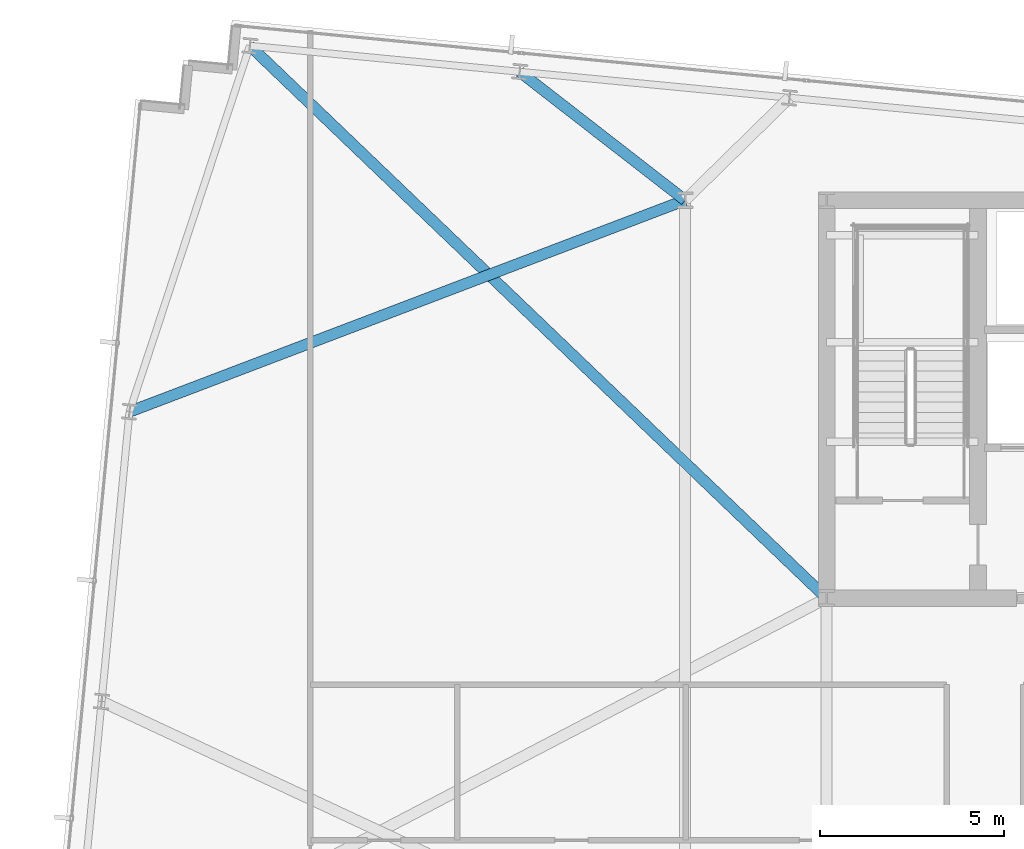
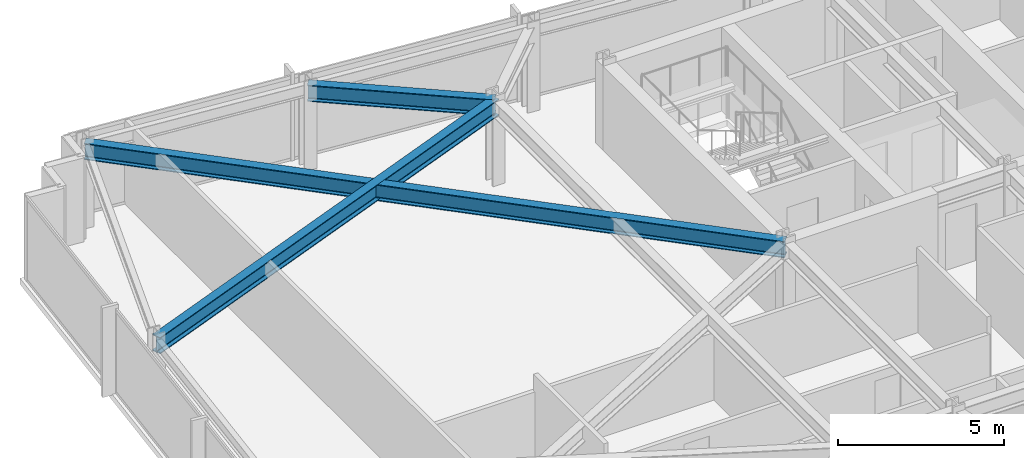
# One storey, part 22 of 38: 3 beams.
"""IFC4 building model written with IfcOpenShell, lengths in metres."""

from ifc_helpers import new_model, si_unit, direction, frame, origin, origin_2d, place, context, subcontext, project, spatial, i_section, extrude, material, material_profile, profile_set, type_object, element, save


model = new_model("IFC4")

# Units and contexts
model_context = context("Model", 3, precision=1e-05, world=origin(), true_north=direction((0.0, 1.0)))
body_context = subcontext(model_context, "Body", "Model", "MODEL_VIEW")
ifc_project = project(units=[si_unit("LENGTHUNIT", "METRE"), si_unit("AREAUNIT", "SQUARE_METRE"), si_unit("VOLUMEUNIT", "CUBIC_METRE"), si_unit("PLANEANGLEUNIT", "RADIAN"), si_unit("MASSUNIT", "GRAM", prefix="KILO")], contexts=[model_context])

# Site, building, storey
site_placement = place(None, origin())
site = spatial("IfcSite", under=ifc_project, at=site_placement, CompositionType="ELEMENT")
building_placement = place(site_placement, origin())
building = spatial("IfcBuilding", under=site, at=building_placement, Name="Yelkora Congress Tower", CompositionType="ELEMENT")
storey_placement = place(building_placement, frame((0.0, 0.0, 172.10009765625)))
storey = spatial("IfcBuildingStorey", under=building, at=storey_placement, Name="L47", CompositionType="ELEMENT", Elevation=172.10009765625)

# Beams
ifc_material = material(Name="Steel S355J2", Category="steel")
ifc_material_profile = material_profile(ifc_material, i_section(OverallWidth=0.300048828125, OverallDepth=0.60009765625, WebThickness=0.015380859375, FlangeThickness=0.030029296875, FilletRadius=0.027099609375, at=origin_2d()), Name="HEB 600")
ifc_profile_set = profile_set([ifc_material_profile], Name="Steel S355J2")
beam_type = type_object("IfcBeamType", Name="BM-GIRD-HEB600", PredefinedType="BEAM", material=ifc_profile_set)
beam_1_placement = place(storey_placement, frame((7.388916015625, 50.390625, 2.77978515625), z_axis=(0.722178809531, -0.691706416816, 0.0), x_axis=(0.691706416816, 0.722178809531, 0.0)))
element("IfcBeam", 1, at=beam_1_placement, inside=storey, type_object=beam_type, Name="L47 Primary Frame Girder N01", PredefinedType="BEAM", context=body_context, shape_type="SweptSolid", body=[
    extrude(i_section(OverallWidth=0.300048828125, OverallDepth=0.60009765625, WebThickness=0.015380859375, FlangeThickness=0.030029296875, FilletRadius=0.027099609375, at=origin_2d()), origin(), (0.0, 0.0, 1.0), 21.672119140625),
])
beam_2_placement = place(storey_placement, frame((14.712158203125, 49.685546875, 2.77978515625), z_axis=(0.789770770989, -0.6134020943, 0.0), x_axis=(0.6134020943, 0.789770770989, 0.0)))
element("IfcBeam", 2, at=beam_2_placement, inside=storey, type_object=beam_type, Name="L47 Primary Frame Girder N02", PredefinedType="BEAM", context=body_context, shape_type="SweptSolid", body=[
    extrude(i_section(OverallWidth=0.300048828125, OverallDepth=0.60009765625, WebThickness=0.015380859375, FlangeThickness=0.030029296875, FilletRadius=0.027099609375, at=origin_2d()), origin(), (0.0, 0.0, 1.0), 5.682373046875),
])
beam_3_placement = place(storey_placement, frame((4.121826171875, 40.4580078125, 2.77978515625), z_axis=(0.934531115392, 0.355881433013, 0.0), x_axis=(-0.355881433013, 0.934531115392, 0.0)))
element("IfcBeam", 3, at=beam_3_placement, inside=storey, type_object=beam_type, Name="L47 Primary Frame Girder W03", PredefinedType="BEAM", context=body_context, shape_type="SweptSolid", body=[
    extrude(i_section(OverallWidth=0.300048828125, OverallDepth=0.60009765625, WebThickness=0.015380859375, FlangeThickness=0.030029296875, FilletRadius=0.027099609375, at=origin_2d()), origin(), (0.0, 0.0, 1.0), 16.134521484375),
])

save(model, "model.ifc")
